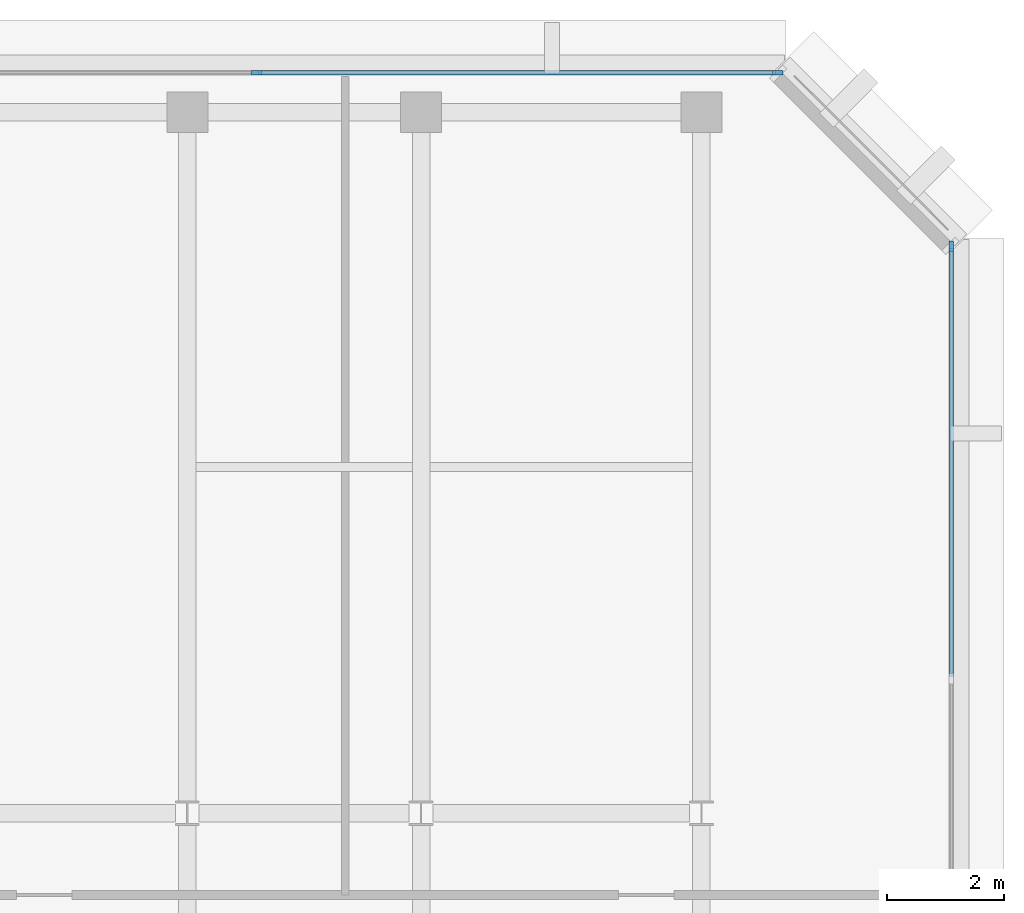
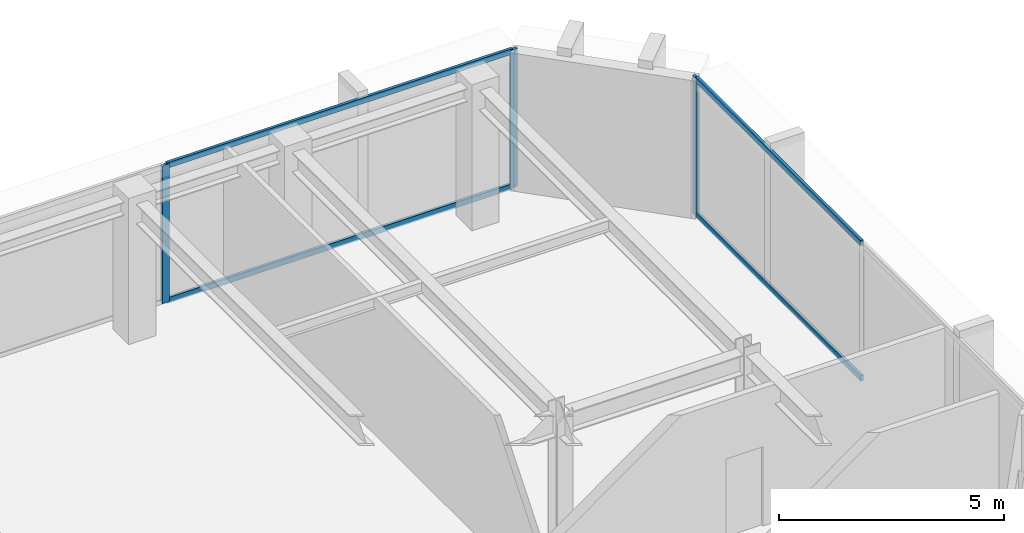
# One storey, part 5 of 11: 7 members, 2 elements without a shape of their own.
"""IFC4 building model written with IfcOpenShell, lengths in metres."""

from ifc_helpers import new_model, si_unit, direction, frame, origin, origin_2d, place, context, subcontext, project, spatial, rectangle, extrude, material, layer, layer_set, material_profile, profile_set, type_object, element, aggregate, save


model = new_model("IFC4")

# Units and contexts
model_context = context("Model", 3, precision=1e-05, world=origin(), true_north=direction((0.0, 1.0)))
body_context = subcontext(model_context, "Body", "Model", "MODEL_VIEW")
ifc_project = project(units=[si_unit("LENGTHUNIT", "METRE"), si_unit("AREAUNIT", "SQUARE_METRE"), si_unit("VOLUMEUNIT", "CUBIC_METRE"), si_unit("PLANEANGLEUNIT", "RADIAN"), si_unit("MASSUNIT", "GRAM", prefix="KILO")], contexts=[model_context])

# Site, building, storey
site_placement = place(None, origin())
site = spatial("IfcSite", under=ifc_project, at=site_placement, CompositionType="ELEMENT")
building_placement = place(site_placement, origin())
building = spatial("IfcBuilding", under=site, at=building_placement, Name="Kefirva Bronze Tower", CompositionType="ELEMENT")
storey_placement = place(building_placement, frame((0.0, 0.0, 276.2099609375)))
storey = spatial("IfcBuildingStorey", under=building, at=storey_placement, Name="L67", CompositionType="ELEMENT", Elevation=276.2099609375)

# Curtain wall, member
ifc_material = material(Name="Bronze anodised aluminium", Category="aluminium")
ifc_layer = layer(ifc_material, 0.179931640625, Name="Bronze anodised aluminium")
ifc_layer_set = layer_set([ifc_layer], Name="Bronze anodised aluminium")
curtain_wall_type = type_object("IfcCurtainWallType", Name="Unitised Bronze Ribbon Curtain Wall Zone 4", PredefinedType="USERDEFINED", material=ifc_layer_set)
curtain_wall_1_placement = place(storey_placement, origin())
curtain_wall_1 = element("IfcCurtainWall", 1, at=curtain_wall_1_placement, inside=storey, type_object=curtain_wall_type, Name="L67 Curtain Wall 3", ObjectType="UNITISED CURTAIN WALL", PredefinedType="USERDEFINED")
ifc_material_profile_1 = material_profile(ifc_material, rectangle(XDim=0.074951171875, YDim=0.179931640625, at=origin_2d()), Name="ALU 75x180")
ifc_profile_set_1 = profile_set([ifc_material_profile_1], Name="Bronze anodised aluminium")
member_type_1 = type_object("IfcMemberType", Name="Bronze Mullion 75x180", PredefinedType="MULLION", material=ifc_profile_set_1)
member_1_placement = place(storey_placement, frame((44.280029296875, 42.907470703125, 0.0), z_axis=(0.0, 0.0, 1.0), x_axis=(-1.0, 0.0, 0.0)))
member_1 = element("IfcMember", 2, at=member_1_placement, type_object=member_type_1, Name="CW-04 mullion 3", PredefinedType="MULLION", context=body_context, shape_type="SweptSolid", body=[
    extrude(rectangle(XDim=0.074951171875, YDim=0.179931640625, at=origin_2d()), origin(), (0.0, 0.0, 1.0), 3.739990234375),
])

# Curtain wall, members
curtain_wall_2_placement = place(storey_placement, origin())
curtain_wall_2 = element("IfcCurtainWall", 3, at=curtain_wall_2_placement, inside=storey, type_object=curtain_wall_type, Name="L67 Curtain Wall 4", ObjectType="UNITISED CURTAIN WALL", PredefinedType="USERDEFINED")
member_2_placement = place(storey_placement, frame((41.3076171875, 45.8798828125, 0.0), z_axis=(0.0, 0.0, 1.0), x_axis=(0.0, -1.0, 0.0)))
member_2 = element("IfcMember", 4, at=member_2_placement, type_object=member_type_1, Name="CW-04 mullion 1", PredefinedType="MULLION", context=body_context, shape_type="SweptSolid", body=[
    extrude(rectangle(XDim=0.074951171875, YDim=0.179931640625, at=origin_2d()), origin(), (0.0, 0.0, 1.0), 3.739990234375),
])
member_3_placement = place(storey_placement, frame((32.375, 45.8798828125, 0.0), z_axis=(0.0, 0.0, 1.0), x_axis=(0.0, -1.0, 0.0)))
member_3 = element("IfcMember", 5, at=member_3_placement, type_object=member_type_1, Name="CW-04 mullion 2", PredefinedType="MULLION", context=body_context, shape_type="SweptSolid", body=[
    extrude(rectangle(XDim=0.074951171875, YDim=0.179931640625, at=origin_2d()), origin(), (0.0, 0.0, 1.0), 3.739990234375),
])

# Member
ifc_material_profile_2 = material_profile(ifc_material, rectangle(XDim=0.074951171875, YDim=0.14990234375, at=origin_2d()), Name="ALU 75x150")
ifc_profile_set_2 = profile_set([ifc_material_profile_2], Name="Bronze anodised aluminium")
member_type_2 = type_object("IfcMemberType", Name="Bronze Transom 75x150", PredefinedType="USERDEFINED", material=ifc_profile_set_2)
member_4_placement = place(storey_placement, frame((44.280029296875, 35.53759765625, 0.03759765625), z_axis=(0.0, 1.0, 0.0), x_axis=(-1.0, 0.0, 0.0)))
member_4 = element("IfcMember", 6, at=member_4_placement, type_object=member_type_2, Name="CW-04 transom 2.1", ObjectType="TRANSOM", PredefinedType="USERDEFINED", context=body_context, shape_type="SweptSolid", body=[
    extrude(rectangle(XDim=0.074951171875, YDim=0.14990234375, at=origin_2d()), origin(), (0.0, 0.0, 1.0), 7.33251953125),
])

member_5_placement = place(storey_placement, frame((44.280029296875, 35.53759765625, 3.70263671875), z_axis=(0.0, 1.0, 0.0), x_axis=(-1.0, 0.0, 0.0)))
member_5 = element("IfcMember", 7, at=member_5_placement, type_object=member_type_2, Name="CW-04 transom 2.2", ObjectType="TRANSOM", PredefinedType="USERDEFINED", context=body_context, shape_type="SweptSolid", body=[
    extrude(rectangle(XDim=0.074951171875, YDim=0.14990234375, at=origin_2d()), origin(), (0.0, 0.0, 1.0), 7.33251953125),
])

aggregate(curtain_wall_1, [member_1, member_4, member_5])

member_6_placement = place(storey_placement, frame((41.27001953125, 45.8798828125, 0.03759765625), z_axis=(-1.0, 0.0, 0.0), x_axis=(0.0, -1.0, 0.0)))
member_6 = element("IfcMember", 8, at=member_6_placement, type_object=member_type_2, Name="CW-04 transom 1.1", ObjectType="TRANSOM", PredefinedType="USERDEFINED", context=body_context, shape_type="SweptSolid", body=[
    extrude(rectangle(XDim=0.074951171875, YDim=0.14990234375, at=origin_2d()), origin(), (0.0, 0.0, 1.0), 8.857421875),
])

member_7_placement = place(storey_placement, frame((41.27001953125, 45.8798828125, 3.70263671875), z_axis=(-1.0, 0.0, 0.0), x_axis=(0.0, -1.0, 0.0)))
member_7 = element("IfcMember", 9, at=member_7_placement, type_object=member_type_2, Name="CW-04 transom 1.2", ObjectType="TRANSOM", PredefinedType="USERDEFINED", context=body_context, shape_type="SweptSolid", body=[
    extrude(rectangle(XDim=0.074951171875, YDim=0.14990234375, at=origin_2d()), origin(), (0.0, 0.0, 1.0), 8.857421875),
])

aggregate(curtain_wall_2, [member_2, member_3, member_6, member_7])

save(model, "model.ifc")
